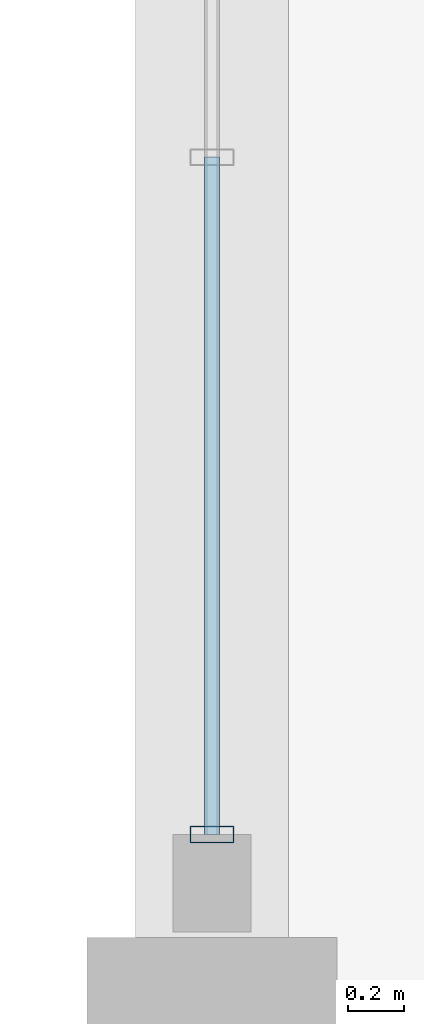
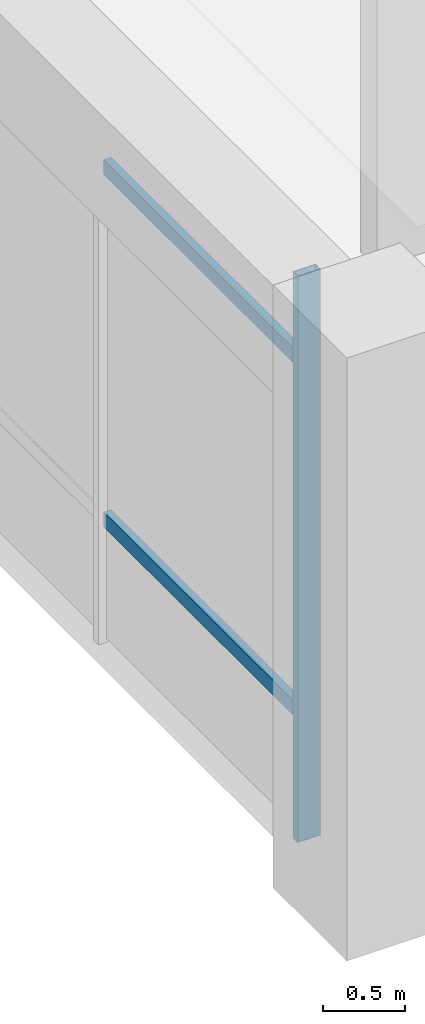
# One storey, part 83 of 154: 3 members, 1 element without a shape of its own.
"""IFC4 building model written with IfcOpenShell, lengths in metres."""

from ifc_helpers import new_model, si_unit, direction, frame, origin, origin_2d, place, context, subcontext, project, spatial, hollow_rectangle, extrude, material, material_profile, profile_set, type_object, element, aggregate, save


model = new_model("IFC4")

# Units and contexts
model_context = context("Model", 3, precision=1e-05, world=origin(), true_north=direction((0.0, 1.0)))
body_context = subcontext(model_context, "Body", "Model", "MODEL_VIEW")
ifc_project = project(units=[si_unit("LENGTHUNIT", "METRE"), si_unit("AREAUNIT", "SQUARE_METRE"), si_unit("VOLUMEUNIT", "CUBIC_METRE"), si_unit("PLANEANGLEUNIT", "RADIAN"), si_unit("MASSUNIT", "GRAM", prefix="KILO")], contexts=[model_context])

# Site, building, storey
site_placement = place(None, origin())
site = spatial("IfcSite", under=ifc_project, at=site_placement, CompositionType="ELEMENT")
building_placement = place(site_placement, origin())
building = spatial("IfcBuilding", under=site, at=building_placement, Name="Ologun Quay Terminus", CompositionType="ELEMENT")
storey_placement = place(building_placement, frame((0.0, 0.0, 13.800048828125)))
storey = spatial("IfcBuildingStorey", under=building, at=storey_placement, Name="L03", CompositionType="ELEMENT", Elevation=13.800048828125)

# Curtain wall, members
ifc_material_1 = material(Name="Aluminium 6063-T6", Category="aluminium")
curtain_wall_type = type_object("IfcCurtainWallType", Name="Rain-Garden East Courtyard Curtain Wall L03 9200x4150", PredefinedType="USERDEFINED", material=ifc_material_1)
curtain_wall_placement = place(storey_placement, origin())
curtain_wall = element("IfcCurtainWall", 1, at=curtain_wall_placement, inside=storey, type_object=curtain_wall_type, Name="CW-20 Curtain Wall CW-L03-142", ObjectType="UNITISED CURTAIN WALL", PredefinedType="USERDEFINED")
ifc_material_2 = material(Name="Aluminium 6063-T6", Category="aluminium")
ifc_material_profile_1 = material_profile(ifc_material_2, hollow_rectangle(XDim=0.06005859375, YDim=0.159912109375, WallThickness=0.00390625, at=origin_2d()), Name="ALU 160x60x4")
ifc_profile_set_1 = profile_set([ifc_material_profile_1], Name="Aluminium 6063-T6")
member_type_1 = type_object("IfcMemberType", Name="Courtyard Screen Mullion 160x65", PredefinedType="MULLION", material=ifc_profile_set_1)
member_1_placement = place(storey_placement, frame((115.0, 86.6201171875, 0.0), z_axis=(0.0, 0.0, 1.0), x_axis=(0.0, 1.0, 0.0)))
member_1 = element("IfcMember", 2, at=member_1_placement, type_object=member_type_1, Name="CW-L03-142 Mullion 1", PredefinedType="MULLION", context=body_context, shape_type="SweptSolid", body=[
    extrude(hollow_rectangle(XDim=0.06005859375, YDim=0.159912109375, WallThickness=0.00390625, at=origin_2d()), origin(), (0.0, 0.0, 1.0), 4.22998046875),
])
ifc_material_3 = material(Name="Aluminium 6063-T6", Category="aluminium")
ifc_material_profile_2 = material_profile(ifc_material_3, hollow_rectangle(XDim=0.054931640625, YDim=0.110107421875, WallThickness=0.00390625, at=origin_2d()), Name="ALU 110x55x4")
ifc_profile_set_2 = profile_set([ifc_material_profile_2], Name="Aluminium 6063-T6")
member_type_2 = type_object("IfcMemberType", Name="Courtyard Screen Transom 110x55", PredefinedType="USERDEFINED", material=ifc_profile_set_2)
member_2_placement = place(storey_placement, frame((115.0, 86.6201171875, 0.89990234375), z_axis=(0.0, 1.0, 0.0), x_axis=(-1.0, 0.0, 0.0)))
member_2 = element("IfcMember", 3, at=member_2_placement, type_object=member_type_2, Name="CW-L03-142 Transom B1-1", ObjectType="TRANSOM", PredefinedType="USERDEFINED", context=body_context, shape_type="SweptSolid", body=[
    extrude(hollow_rectangle(XDim=0.054931640625, YDim=0.110107421875, WallThickness=0.00390625, at=origin_2d()), origin(), (0.0, 0.0, 1.0), 2.4365234375),
])
member_3_placement = place(storey_placement, frame((115.0, 86.6201171875, 3.530029296875), z_axis=(0.0, 1.0, 0.0), x_axis=(-1.0, 0.0, 0.0)))
member_3 = element("IfcMember", 4, at=member_3_placement, type_object=member_type_2, Name="CW-L03-142 Transom B1-2", ObjectType="TRANSOM", PredefinedType="USERDEFINED", context=body_context, shape_type="SweptSolid", body=[
    extrude(hollow_rectangle(XDim=0.054931640625, YDim=0.110107421875, WallThickness=0.00390625, at=origin_2d()), origin(), (0.0, 0.0, 1.0), 2.4365234375),
])
aggregate(curtain_wall, [member_1, member_2, member_3])

save(model, "model.ifc")
